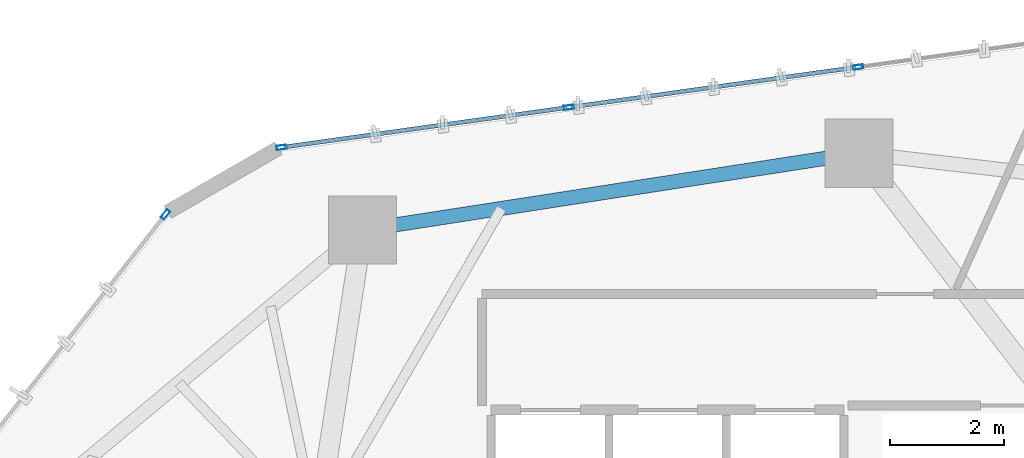
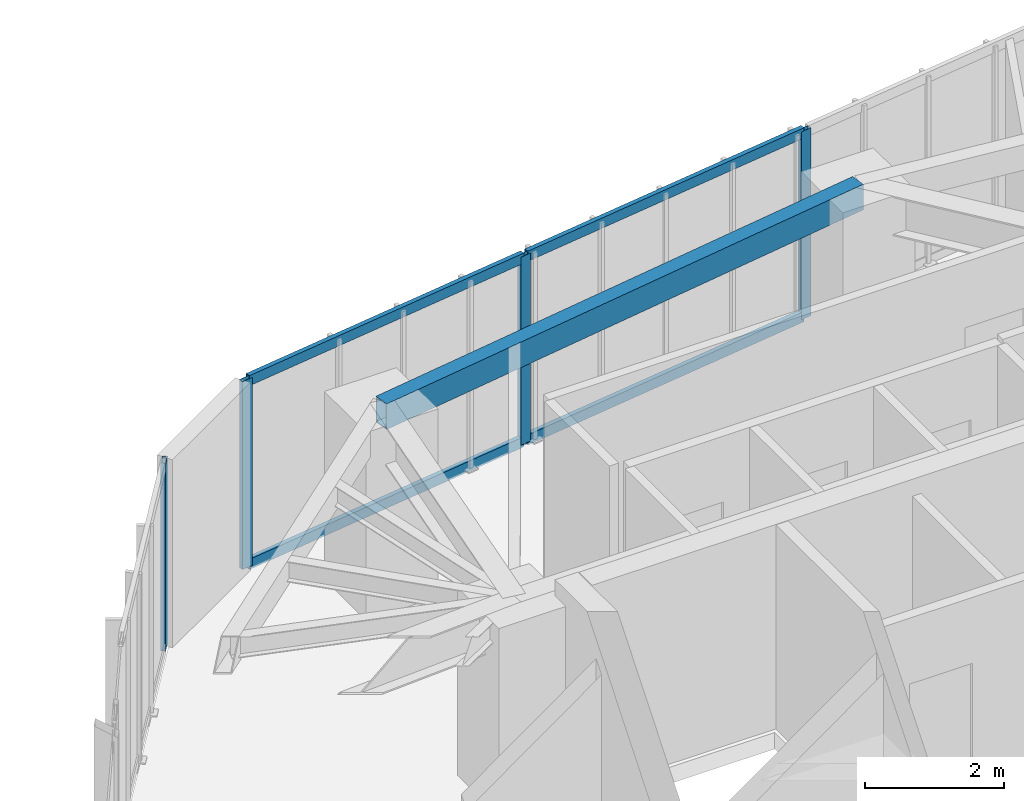
# One storey, part 16 of 24: 8 members, 1 beam, 2 elements without a shape of their own.
"""IFC4 building model written with IfcOpenShell, lengths in metres."""

from ifc_helpers import new_model, si_unit, direction, frame, origin, origin_2d, place, context, subcontext, project, spatial, hollow_rectangle, extrude, source, transform, mapped, material, layer, layer_set, material_profile, profile_set, type_object, type_shapes, element, aggregate, save


model = new_model("IFC4")

# Units and contexts
model_context = context("Model", 3, precision=1e-05, world=origin(), true_north=direction((0.0, 1.0)))
body_context = subcontext(model_context, "Body", "Model", "MODEL_VIEW")
ifc_project = project(units=[si_unit("LENGTHUNIT", "METRE"), si_unit("AREAUNIT", "SQUARE_METRE"), si_unit("VOLUMEUNIT", "CUBIC_METRE"), si_unit("PLANEANGLEUNIT", "RADIAN"), si_unit("MASSUNIT", "GRAM", prefix="KILO")], contexts=[model_context])

# Site, building, storey
site_placement = place(None, origin())
site = spatial("IfcSite", under=ifc_project, at=site_placement, CompositionType="ELEMENT")
building_placement = place(site_placement, origin())
building = spatial("IfcBuilding", under=site, at=building_placement, Name="Talar Marvaseh", CompositionType="ELEMENT")
storey_placement = place(building_placement, frame((0.0, 0.0, 114.60009765625)))
storey = spatial("IfcBuildingStorey", under=building, at=storey_placement, Name="L29", CompositionType="ELEMENT", Elevation=114.60009765625)

# Beam
ifc_material_1 = material(Name="Steel S355", Category="steel")
ifc_material_profile_1 = material_profile(ifc_material_1, hollow_rectangle(XDim=0.25, YDim=0.449951171875, WallThickness=0.01611328125, at=origin_2d()), Name="RHS450x250x16")
ifc_profile_set_1 = profile_set([ifc_material_profile_1], Name="Steel S355")
beam_type = type_object("IfcBeamType", Name="Zone 2 Perimeter Spandrel Beam RHS450x250x16", PredefinedType="SPANDREL", material=ifc_profile_set_1)
beam_placement = place(storey_placement, frame((19.5009765625, 42.123046875, 3.0849609375), z_axis=(0.988248879948, 0.152853365295, 0.0), x_axis=(-0.152853365295, 0.988248879948, 0.0)))
element("IfcBeam", 1, at=beam_placement, inside=storey, type_object=beam_type, Name="L29 Zone 2 Perimeter Spandrel Beam RHS450x250x16", PredefinedType="SPANDREL", context=body_context, shape_type="SweptSolid", body=[
    extrude(hollow_rectangle(XDim=0.25, YDim=0.449951171875, WallThickness=0.01611328125, at=origin_2d()), origin(), (0.0, 0.0, 1.0), 8.82470703125),
])

# Curtain wall, members
ifc_material_2 = material(Name="Architectural Aluminium", Category="aluminium")
ifc_layer = layer(ifc_material_2, 0.199951171875)
ifc_layer_set = layer_set([ifc_layer], Name="Architectural Aluminium")
curtain_wall_type = type_object("IfcCurtainWallType", Name="Unitised Acoustic Library Curtain Wall Z2", PredefinedType="NOTDEFINED", material=ifc_layer_set)
curtain_wall_1_placement = place(storey_placement, origin())
curtain_wall_1 = element("IfcCurtainWall", 2, at=curtain_wall_1_placement, inside=storey, type_object=curtain_wall_type, Name="L29 Unitised Acoustic Library Curtain Wall Z2", PredefinedType="NOTDEFINED")
ifc_material_profile_2 = material_profile(ifc_material_2, hollow_rectangle(XDim=0.074951171875, YDim=0.179931640625, WallThickness=0.0048828125, at=origin_2d()), Name="RHS180x75x5")
ifc_profile_set_2 = profile_set([ifc_material_profile_2], Name="Architectural Aluminium")
member_type_1 = type_object("IfcMemberType", Name="Unitised Curtain Wall Transom RHS180x75x5", PredefinedType="USERDEFINED", material=ifc_profile_set_2)
shared_shape_1 = source(origin(), body_context, "Body", "SweptSolid", [
    extrude(hollow_rectangle(XDim=0.074951171875, YDim=0.179931640625, WallThickness=0.0048828125, at=origin_2d()), origin(), (0.0, 0.0, 1.0), 5.054931640625),
])
member_1_placement = place(storey_placement, frame((23.163330078125, 44.28125, 0.037353515625), z_axis=(0.990427634082, 0.138032973044, 0.0), x_axis=(-0.138032973044, 0.990427634082, 0.0)))
member_1 = element("IfcMember", 3, at=member_1_placement, type_object=member_type_1, Name="CW-Z2 transom 2.1", ObjectType="TRANSOM", PredefinedType="USERDEFINED", context=body_context, shape_type="MappedRepresentation", body=[
    mapped(shared_shape_1, transform((0.0, 0.0, 0.0), x_axis=(1.0, 0.0, 0.0), y_axis=(0.0, 1.0, 0.0), z_axis=(0.0, 0.0, 1.0), scale=1.0)),
])
member_2_placement = place(storey_placement, frame((23.163330078125, 44.28125, 3.2724609375), z_axis=(0.990427634082, 0.138032973044, 0.0), x_axis=(-0.138032973044, 0.990427634082, 0.0)))
member_2 = element("IfcMember", 4, at=member_2_placement, type_object=member_type_1, Name="CW-Z2 transom 2.2", ObjectType="TRANSOM", PredefinedType="USERDEFINED", context=body_context, shape_type="MappedRepresentation", body=[
    mapped(shared_shape_1, transform((0.0, 0.0, 0.0), x_axis=(1.0, 0.0, 0.0), y_axis=(0.0, 1.0, 0.0), z_axis=(0.0, 0.0, 1.0), scale=1.0)),
])
shared_shape_2 = source(origin(), body_context, "Body", "SweptSolid", [
    extrude(hollow_rectangle(XDim=0.074951171875, YDim=0.179931640625, WallThickness=0.0048828125, at=origin_2d()), origin(), (0.0, 0.0, 1.0), 5.017822265625),
])
type_shapes(member_type_1, [shared_shape_1, shared_shape_2])
member_3_placement = place(storey_placement, frame((18.119384765625, 43.57861328125, 0.037353515625), z_axis=(0.990433989326, 0.137987364597, 0.0), x_axis=(-0.137987364597, 0.990433989326, 0.0)))
member_3 = element("IfcMember", 5, at=member_3_placement, type_object=member_type_1, Name="CW-Z2 transom 1.1", ObjectType="TRANSOM", PredefinedType="USERDEFINED", context=body_context, shape_type="MappedRepresentation", body=[
    mapped(shared_shape_2, transform((0.0, 0.0, 0.0), x_axis=(1.0, 0.0, 0.0), y_axis=(0.0, 1.0, 0.0), z_axis=(0.0, 0.0, 1.0), scale=1.0)),
])
member_4_placement = place(storey_placement, frame((18.119384765625, 43.57861328125, 3.2724609375), z_axis=(0.990433989326, 0.137987364597, 0.0), x_axis=(-0.137987364597, 0.990433989326, 0.0)))
member_4 = element("IfcMember", 6, at=member_4_placement, type_object=member_type_1, Name="CW-Z2 transom 1.2", ObjectType="TRANSOM", PredefinedType="USERDEFINED", context=body_context, shape_type="MappedRepresentation", body=[
    mapped(shared_shape_2, transform((0.0, 0.0, 0.0), x_axis=(1.0, 0.0, 0.0), y_axis=(0.0, 1.0, 0.0), z_axis=(0.0, 0.0, 1.0), scale=1.0)),
])

# Curtain wall, member
curtain_wall_2_placement = place(storey_placement, origin())
curtain_wall_2 = element("IfcCurtainWall", 7, at=curtain_wall_2_placement, inside=storey, type_object=curtain_wall_type, Name="L29 Unitised Acoustic Library Curtain Wall Z2", PredefinedType="NOTDEFINED")
ifc_material_profile_3 = material_profile(ifc_material_2, hollow_rectangle(XDim=0.074951171875, YDim=0.179931640625, WallThickness=0.0048828125, at=origin_2d()), Name="RHS180x75x5")
ifc_profile_set_3 = profile_set([ifc_material_profile_3], Name="Architectural Aluminium")
member_type_2 = type_object("IfcMemberType", Name="Unitised Curtain Wall Standard Mullion RHS180x75x5", PredefinedType="MULLION", material=ifc_profile_set_3)
shared_shape_3 = source(origin(), body_context, "Body", "SweptSolid", [
    extrude(hollow_rectangle(XDim=0.074951171875, YDim=0.179931640625, WallThickness=0.0048828125, at=origin_2d()), origin(), (0.0, 0.0, 1.0), 3.309814453125),
])
type_shapes(member_type_2, [shared_shape_3])
member_5_placement = place(storey_placement, frame((16.0390625, 42.3935546875, 0.0), z_axis=(0.0, 0.0, 1.0), x_axis=(-0.788737443785, 0.614730221131, 0.0)))
member_5 = element("IfcMember", 8, at=member_5_placement, type_object=member_type_2, Name="CW-Z2 mullion 4", PredefinedType="MULLION", context=body_context, shape_type="MappedRepresentation", body=[
    mapped(shared_shape_3, transform((0.0, 0.0, 0.0), x_axis=(1.0, 0.0, 0.0), y_axis=(0.0, 1.0, 0.0), z_axis=(0.0, 0.0, 1.0), scale=1.0)),
])
aggregate(curtain_wall_2, [member_5])

# Member
member_6_placement = place(storey_placement, frame((18.082275390625, 43.573486328125, 0.0), z_axis=(0.0, 0.0, 1.0), x_axis=(-0.137997410848, 0.990432589629, 0.0)))
member_6 = element("IfcMember", 9, at=member_6_placement, type_object=member_type_2, Name="CW-Z2 mullion 1", PredefinedType="MULLION", context=body_context, shape_type="MappedRepresentation", body=[
    mapped(shared_shape_3, transform((0.0, 0.0, 0.0), x_axis=(1.0, 0.0, 0.0), y_axis=(0.0, 1.0, 0.0), z_axis=(0.0, 0.0, 1.0), scale=1.0)),
])

member_7_placement = place(storey_placement, frame((23.126220703125, 44.276123046875, 0.0), z_axis=(0.0, 0.0, 1.0), x_axis=(-0.137997410848, 0.990432589629, 0.0)))
member_7 = element("IfcMember", 10, at=member_7_placement, type_object=member_type_2, Name="CW-Z2 mullion 2", PredefinedType="MULLION", context=body_context, shape_type="MappedRepresentation", body=[
    mapped(shared_shape_3, transform((0.0, 0.0, 0.0), x_axis=(1.0, 0.0, 0.0), y_axis=(0.0, 1.0, 0.0), z_axis=(0.0, 0.0, 1.0), scale=1.0)),
])

member_8_placement = place(storey_placement, frame((28.20703125, 44.984130859375, 0.0), z_axis=(0.0, 0.0, 1.0), x_axis=(-0.137997410848, 0.990432589629, 0.0)))
member_8 = element("IfcMember", 11, at=member_8_placement, type_object=member_type_2, Name="CW-Z2 mullion 3", PredefinedType="MULLION", context=body_context, shape_type="MappedRepresentation", body=[
    mapped(shared_shape_3, transform((0.0, 0.0, 0.0), x_axis=(1.0, 0.0, 0.0), y_axis=(0.0, 1.0, 0.0), z_axis=(0.0, 0.0, 1.0), scale=1.0)),
])

aggregate(curtain_wall_1, [member_6, member_7, member_8, member_3, member_4, member_1, member_2])

save(model, "model.ifc")
